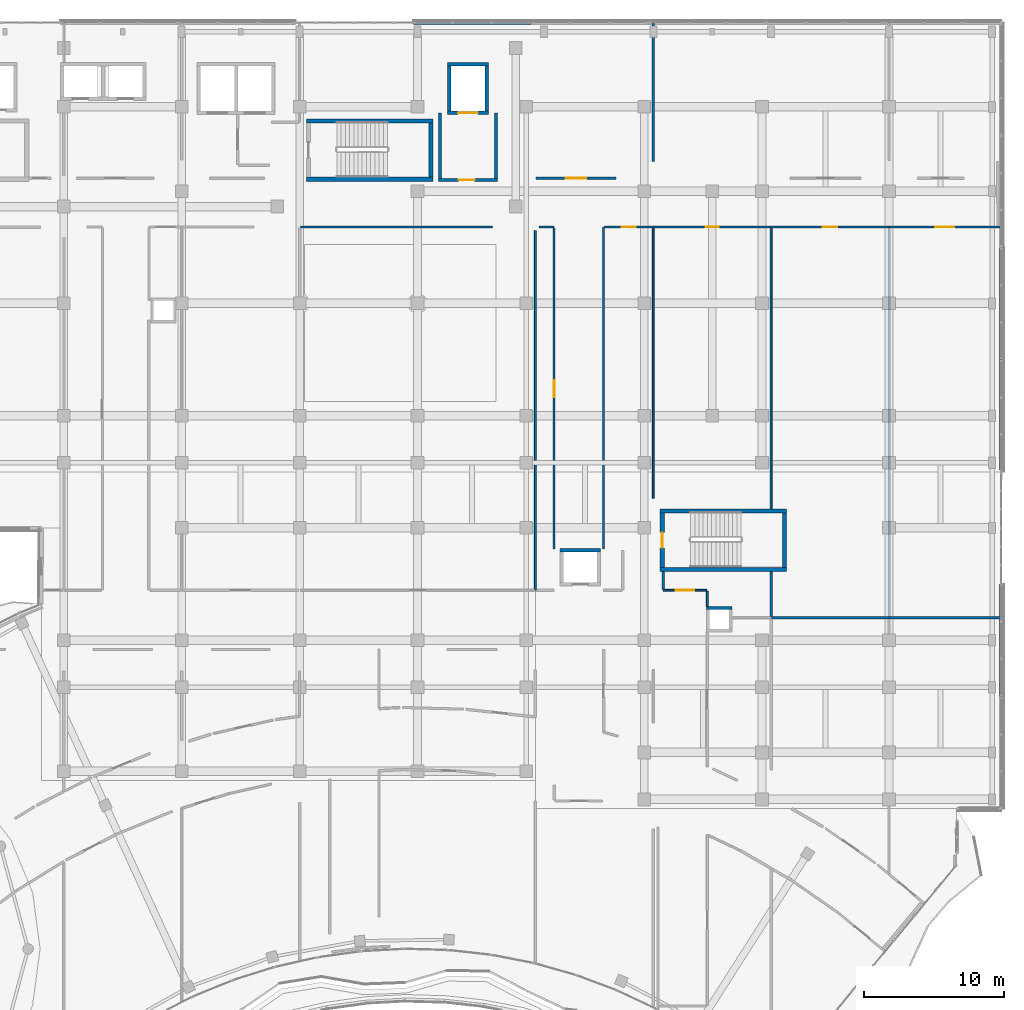
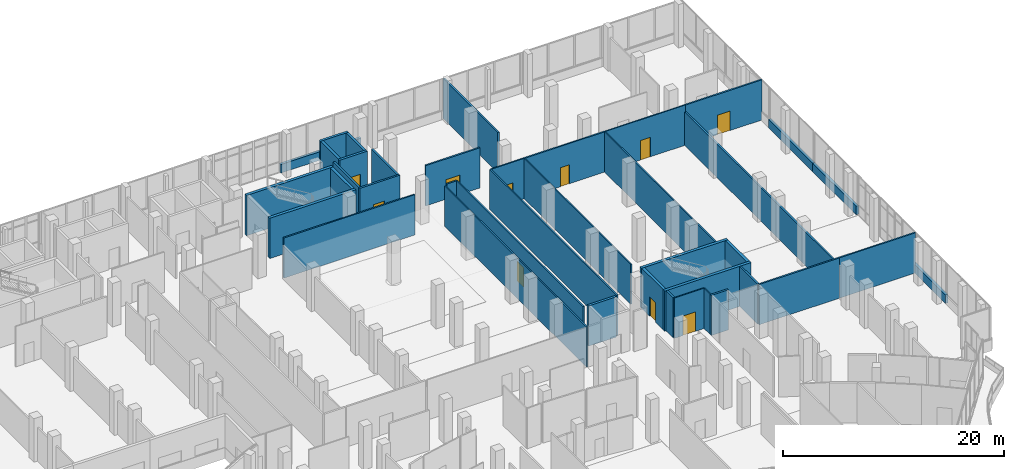
# One storey, part 151 of 168: 40 walls, 10 doors, 10 openings.
"""IFC4 building model written with IfcOpenShell, lengths in metres."""

import ifcopenshell
import ifcopenshell.guid

model = None  # the IFC model being written
_history = None  # IfcOwnerHistory: only IFC2X3 demands one
_inside = {}  # id of a spatial element -> (the spatial element, [elements in it])
_under = {}  # id of a project, library or spatial element -> (it, [spatial elements below it])
_declared = {}  # id of a project -> (the project, [libraries it declares])
_typed = {}  # id of a type object -> (the type object, [elements of that type])
_made_of = {}  # id of a material, layer set ... -> (it, [elements and type objects made of it])


def new_model(schema):
    """Start an empty IFC model of exactly this schema.

    Asked for "IFC4X3", IfcOpenShell would pick the latest addendum, in which some entities
    have other attributes; the version numbers below select the first issue.
    IFC2X3 requires an IfcOwnerHistory on every rooted entity: one is made here for all.
    """
    global model, _history
    if schema == "IFC4X3":
        model = ifcopenshell.file(schema_version=(4, 3, 0, 0))
    else:
        model = ifcopenshell.file(schema=schema)
    _inside.clear()
    _under.clear()
    _declared.clear()
    _typed.clear()
    _made_of.clear()
    _history = None
    if model.schema == "IFC2X3":
        org = make("IfcOrganization", Name="unknown")
        user = make(
            "IfcPersonAndOrganization",
            ThePerson=make("IfcPerson", FamilyName="unknown"),
            TheOrganization=org,
        )
        app = make(
            "IfcApplication",
            ApplicationDeveloper=org,
            Version="unknown",
            ApplicationFullName="unknown",
            ApplicationIdentifier="unknown",
        )
        _history = make(
            "IfcOwnerHistory",
            OwningUser=user,
            OwningApplication=app,
            ChangeAction="ADDED",
            CreationDate=0,
        )
    return model


def make(cls, **values):
    """One entity of the class cls with the attributes given. An attribute that is None is left unset."""
    return model.create_entity(
        cls, **{name: value for name, value in values.items() if value is not None}
    )


def rooted(cls, **values):
    """An entity with a GlobalId (a new one), such as an element, a storey or a relation."""
    return make(cls, GlobalId=ifcopenshell.guid.new(), OwnerHistory=_history, **values)


def si_unit(unit_type, name, prefix=None):
    """IfcSIUnit, for example si_unit("LENGTHUNIT", "METRE", prefix="MILLI")."""
    return make("IfcSIUnit", UnitType=unit_type, Prefix=prefix, Name=name)


def assignment(units):
    """IfcUnitAssignment: the units of a project."""
    return None if units is None else make("IfcUnitAssignment", Units=units)


def point(xyz):
    """IfcCartesianPoint."""
    return None if xyz is None else make("IfcCartesianPoint", Coordinates=xyz)


def direction(xyz):
    """IfcDirection."""
    return None if xyz is None else make("IfcDirection", DirectionRatios=xyz)


def frame(location, z_axis=None, x_axis=None):
    """IfcAxis2Placement3D, a coordinate frame: its origin and axes. An axis left out is left unset."""
    return make(
        "IfcAxis2Placement3D",
        Location=point(location),
        Axis=direction(z_axis),
        RefDirection=direction(x_axis),
    )


def frame_2d(location, x_axis=None):
    """IfcAxis2Placement2D, a coordinate frame in the plane: its origin and x axis."""
    return make(
        "IfcAxis2Placement2D", Location=point(location), RefDirection=direction(x_axis)
    )


def origin():
    """The frame at (0, 0, 0) with its axes left unset."""
    return frame((0.0, 0.0, 0.0))


def place(relative_to, where):
    """IfcLocalPlacement: puts the frame where relative to a parent placement (None: the world)."""
    return make(
        "IfcLocalPlacement", PlacementRelTo=relative_to, RelativePlacement=where
    )


def context(
    kind, dimensions, precision=None, world=None, true_north=None, identifier=None
):
    """IfcGeometricRepresentationContext, for example the 3D "Model" context."""
    return make(
        "IfcGeometricRepresentationContext",
        ContextIdentifier=identifier,
        ContextType=kind,
        CoordinateSpaceDimension=dimensions,
        Precision=precision,
        WorldCoordinateSystem=world,
        TrueNorth=true_north,
    )


def subcontext(parent, identifier, kind, view, scale=None):
    """IfcGeometricRepresentationSubContext, for example "Body" below "Model"."""
    return make(
        "IfcGeometricRepresentationSubContext",
        ContextIdentifier=identifier,
        ContextType=kind,
        ParentContext=parent,
        TargetScale=scale,
        TargetView=view,
    )


def project(units=None, contexts=None):
    """IfcProject with its units and contexts."""
    return rooted(
        "IfcProject",
        Name="project",
        RepresentationContexts=contexts,
        UnitsInContext=assignment(units),
    )


def spatial(cls, under=None, at=None, **own):
    """A site, building, storey or space (cls), placed at a placement, below another one or the project."""
    s = rooted(cls, ObjectPlacement=at, **own)
    if under is not None:
        _under.setdefault(under.id(), (under, []))[1].append(s)
    return s


def profile(cls, at=None, kind="AREA", **sizes):
    """A parametric profile (cls). Its sizes go by their IFC names, for example OverallWidth=200.0."""
    return make(cls, ProfileType=kind, Position=at, **sizes)


def rectangle(**sizes):
    """IfcRectangleProfileDef."""
    return profile("IfcRectangleProfileDef", **sizes)


def extrude(swept, where, along, depth):
    """IfcExtrudedAreaSolid: the profile swept, set in the frame where, extruded along a direction by depth."""
    return make(
        "IfcExtrudedAreaSolid",
        SweptArea=swept,
        Position=where,
        ExtrudedDirection=direction(along),
        Depth=depth,
    )


def shape(context_of_items, identifier, shape_type, items):
    """IfcShapeRepresentation: the items that make up one representation, for example the "Body"."""
    return make(
        "IfcShapeRepresentation",
        ContextOfItems=context_of_items,
        RepresentationIdentifier=identifier,
        RepresentationType=shape_type,
        Items=items,
    )


def material(Name=None, Category=None):
    """IfcMaterial."""
    return make("IfcMaterial", Name=Name, Category=Category)


def layer(
    of_material, thickness, ventilated=None, Name=None, Category=None, Priority=None
):
    """IfcMaterialLayer: one layer of a wall or slab, of a material (None: an air gap)."""
    return make(
        "IfcMaterialLayer",
        Material=of_material,
        LayerThickness=thickness,
        IsVentilated=ventilated,
        Name=Name,
        Category=Category,
        Priority=Priority,
    )


def layer_set(layers, Name=None):
    """IfcMaterialLayerSet."""
    return make("IfcMaterialLayerSet", MaterialLayers=layers, LayerSetName=Name)


def made_of(thing, what):
    """Note that an element or type object is made of a material, layer set ...; save() writes the relation."""
    if what is not None:
        _made_of.setdefault(what.id(), (what, []))[1].append(thing)
    return thing


def type_object(cls, material=None, **own):
    """A type object (cls), such as IfcWallType, which elements share."""
    return made_of(rooted(cls, **own), material)


def element(
    cls,
    number,
    at=None,
    inside=None,
    cuts=None,
    type_object=None,
    material=None,
    context=None,
    identifier="Body",
    shape_type=None,
    held_by="IfcProductDefinitionShape",
    body=None,
    shapes=None,
    **own,
):
    """One element of the class cls, such as IfcWall. Its Tag is "e" and its number.

    at: its placement. inside: the storey or other place that contains it. cuts: it is an
    opening in that element (IfcRelVoidsElement). A single representation is given by context,
    identifier, shape_type and body (its items); several are given by shapes. held_by: the class
    of the entity that holds the representations. save() writes the other relations.
    """
    e = rooted(cls, Tag="e%d" % number, ObjectPlacement=at, **own)
    if body is not None:
        shapes = [shape(context, identifier, shape_type, body)]
    if shapes is not None:
        e.Representation = make(held_by, Representations=shapes)
    if inside is not None:
        _inside.setdefault(inside.id(), (inside, []))[1].append(e)
    if cuts is not None:
        rooted(
            "IfcRelVoidsElement", RelatingBuildingElement=cuts, RelatedOpeningElement=e
        )
    if type_object is not None:
        _typed.setdefault(type_object.id(), (type_object, []))[1].append(e)
    return made_of(e, material)


def fill(opening, filler):
    """IfcRelFillsElement: the door or window that sits in an opening."""
    return rooted(
        "IfcRelFillsElement",
        RelatingOpeningElement=opening,
        RelatedBuildingElement=filler,
    )


def aggregate(whole, parts):
    """IfcRelAggregates: a whole, such as a stair, and the parts it consists of."""
    return rooted("IfcRelAggregates", RelatingObject=whole, RelatedObjects=parts)


def save(model, path):
    """Write the relations noted so far, then the file.

    IfcRelAggregates (storeys below a building ...), IfcRelContainedInSpatialStructure (elements
    in a storey), IfcRelDefinesByType, IfcRelAssociatesMaterial and IfcRelDeclares: one each for
    every whole, place, type object, material and project.
    """
    for whole, parts in _under.values():
        aggregate(whole, parts)
    for where, things in _inside.values():
        rooted(
            "IfcRelContainedInSpatialStructure",
            RelatedElements=things,
            RelatingStructure=where,
        )
    for kind, things in _typed.values():
        rooted("IfcRelDefinesByType", RelatedObjects=things, RelatingType=kind)
    for what, things in _made_of.values():
        rooted("IfcRelAssociatesMaterial", RelatedObjects=things, RelatingMaterial=what)
    for by, libraries in _declared.values():
        rooted("IfcRelDeclares", RelatingContext=by, RelatedDefinitions=libraries)
    model.write(path)


model = new_model("IFC4")

# Units and contexts
model_context = context("Model", 3, precision=1e-05, world=origin(), true_north=direction((0.0, 1.0)))
body_context = subcontext(model_context, "Body", "Model", "MODEL_VIEW")
ifc_project = project(units=[si_unit("LENGTHUNIT", "METRE"), si_unit("AREAUNIT", "SQUARE_METRE"), si_unit("VOLUMEUNIT", "CUBIC_METRE"), si_unit("PLANEANGLEUNIT", "RADIAN"), si_unit("MASSUNIT", "GRAM", prefix="KILO")], contexts=[model_context])

# Site, building, storey
site_placement = place(None, origin())
site = spatial("IfcSite", under=ifc_project, at=site_placement, CompositionType="ELEMENT")
building_placement = place(site_placement, origin())
building = spatial("IfcBuilding", under=site, at=building_placement, Name="Selatvlak General Hospital", CompositionType="ELEMENT")
storey_placement = place(building_placement, frame((0.0, 0.0, 5.39990234375)))
storey = spatial("IfcBuildingStorey", under=building, at=storey_placement, Name="L01", CompositionType="ELEMENT", Elevation=5.39990234375)

# Walls
ifc_material_1 = material(Name="Precast concrete C40/50 - white Bauhaus spandrel", Category="concrete")
ifc_layer_1 = layer(ifc_material_1, 0.280029296875, Name="Precast concrete C40/50 - white Bauhaus spandrel", Category="concrete")
ifc_layer_set_1 = layer_set([ifc_layer_1], Name="Precast concrete C40/50 - white Bauhaus spandrel")
wall_type_1 = type_object("IfcWallType", Name="WALL-EW-02", PredefinedType="SOLIDWALL", material=ifc_layer_set_1)
wall_1_placement = place(storey_placement, frame((140.10107421875, 120.0, 0.0), z_axis=(0.0, 0.0, 1.0), x_axis=(1.0, 0.0, 0.0)))
element("IfcWall", 1, at=wall_1_placement, inside=storey, type_object=wall_type_1, Name="L01 Bauhaus spandrel sill wall 0217", PredefinedType="SOLIDWALL", context=body_context, shape_type="SweptSolid", body=[
    extrude(rectangle(XDim=8.3759765625, YDim=0.280029296875, at=frame_2d((4.18798828125, 0.0))), origin(), (0.0, 0.0, 1.0), 0.940185546875),
])
wall_2_placement = place(storey_placement, frame((182.0, 103.9990234375, 0.0), z_axis=(0.0, 0.0, 1.0), x_axis=(0.0, -1.0, 0.0)))
element("IfcWall", 2, at=wall_2_placement, inside=storey, type_object=wall_type_1, Name="L01 Bauhaus spandrel sill wall 0224", PredefinedType="SOLIDWALL", context=body_context, shape_type="SweptSolid", body=[
    extrude(rectangle(XDim=7.99609375, YDim=0.280029296875, at=frame_2d((3.998046875, 0.0))), origin(), (0.0, 0.0, 1.0), 0.940185546875),
])
wall_3_placement = place(storey_placement, frame((182.0, 95.9990234375, 0.0), z_axis=(0.0, 0.0, 1.0), x_axis=(0.0, -1.0, 0.0)))
element("IfcWall", 3, at=wall_3_placement, inside=storey, type_object=wall_type_1, Name="L01 Bauhaus spandrel sill wall 0225", PredefinedType="SOLIDWALL", context=body_context, shape_type="SweptSolid", body=[
    extrude(rectangle(XDim=7.85791015625, YDim=0.280029296875, at=frame_2d((3.928955078125, 0.0))), origin(), (0.0, 0.0, 1.0), 0.940185546875),
])
wall_4_placement = place(storey_placement, frame((182.0, 79.9990234375, 0.0), z_axis=(0.0, 0.0, 1.0), x_axis=(0.0, -1.0, 0.0)))
element("IfcWall", 4, at=wall_4_placement, inside=storey, type_object=wall_type_1, Name="L01 Bauhaus spandrel sill wall 0226", PredefinedType="SOLIDWALL", context=body_context, shape_type="SweptSolid", body=[
    extrude(rectangle(XDim=7.99609375, YDim=0.280029296875, at=frame_2d((3.998046875, 0.0))), origin(), (0.0, 0.0, 1.0), 0.940185546875),
])

# Wall, opening, door
ifc_material_2 = material(Name="Concrete C40/50", Category="concrete")
ifc_layer_2 = layer(ifc_material_2, 0.199951171875, Name="Concrete C40/50", Category="concrete")
ifc_layer_set_2 = layer_set([ifc_layer_2], Name="Concrete C40/50")
wall_type_2 = type_object("IfcWallType", Name="WALL-IW-02", PredefinedType="SOLIDWALL", material=ifc_layer_set_2)
wall_5_placement = place(storey_placement, frame((141.89990234375, 108.800048828125, 0.0), z_axis=(0.0, 0.0, 1.0), x_axis=(1.0, 0.0, 0.0)))
wall_5 = element("IfcWall", 5, at=wall_5_placement, inside=storey, type_object=wall_type_2, Name="Firefighting lobby C4 wall L01 S", PredefinedType="SOLIDWALL", context=body_context, shape_type="SweptSolid", body=[
    extrude(rectangle(XDim=4.2001953125, YDim=0.199951171875, at=frame_2d((2.10009765625, 0.0))), origin(), (0.0, 0.0, 1.0), 4.445068359375),
])
opening_1_placement = place(wall_5_placement, frame((1.425048828125, 0.0, 0.0)))
opening_1 = element("IfcOpeningElement", 6, at=opening_1_placement, cuts=wall_5, Name="Opening D-06", PredefinedType="OPENING", context=body_context, shape_type="SweptSolid", body=[
    extrude(rectangle(XDim=1.14990234375, YDim=2.14990234375, at=frame_2d((0.574951171875, 1.074951171875))), frame((0.0, 0.10986328125, 0.0), z_axis=(0.0, -1.0, 0.0), x_axis=(1.0, 0.0, 0.0)), (0.0, 0.0, 1.0), 0.219970703125),
])
ifc_material_3 = material(Name="Firefighting lobby fire door")
door_type_1 = type_object("IfcDoorType", Name="DOOR-D-06", OperationType="NOTDEFINED", PredefinedType="DOOR", material=ifc_material_3)
door_1_placement = place(opening_1_placement, origin())
door_1 = element("IfcDoor", 7, at=door_1_placement, inside=storey, type_object=door_type_1, Name="Firefighting lobby C4 door on L01", OperationType="SINGLE_SWING_LEFT", OverallHeight=2.14990234375, OverallWidth=1.14990234375, PredefinedType="DOOR", context=body_context, shape_type="SweptSolid", body=[
    extrude(rectangle(XDim=1.14990234375, YDim=2.14990234375, at=frame_2d((0.574951171875, 1.074951171875))), frame((0.0, 0.02490234375, 0.0), z_axis=(0.0, -1.0, 0.0), x_axis=(1.0, 0.0, 0.0)), (0.0, 0.0, 1.0), 0.050048828125),
])
fill(opening_1, door_1)

# Walls
for number, where, z_axis, x_axis, name in (
    (8, (146.0, 108.89990234375, 0.0), (0.0, 0.0, 1.0), (0.0, 1.0, 0.0), "Firefighting lobby C4 wall L01 E"),
    (9, (142.0, 113.550048828125, 0.0), (0.0, 0.0, 1.0), (0.0, -1.0, 0.0), "Firefighting lobby C4 wall L01 W"),
):
    element("IfcWall", number, at=place(storey_placement, frame(where, z_axis=z_axis, x_axis=x_axis)), inside=storey, type_object=wall_type_2, Name=name, PredefinedType="SOLIDWALL", context=body_context, shape_type="SweptSolid", body=[
        extrude(rectangle(XDim=4.650146484375, YDim=0.199951171875, at=frame_2d((2.3251953125, 0.0))), origin(), (0.0, 0.0, 1.0), 4.445068359375),
    ])
wall_6_placement = place(storey_placement, frame((162.800048828125, 78.300048828125, 0.0), z_axis=(0.0, 0.0, 1.0), x_axis=(-1.0, 0.0, 0.0)))
element("IfcWall", 10, at=wall_6_placement, inside=storey, type_object=wall_type_2, Name="Service riser 4 shaft wall L01 N", PredefinedType="SOLIDWALL", context=body_context, shape_type="SweptSolid", body=[
    extrude(rectangle(XDim=1.800048828125, YDim=0.199951171875, at=frame_2d((0.89990234375, 0.0))), origin(), (0.0, 0.0, 1.0), 4.445068359375),
])
ifc_material_4 = material(Name="Acoustic gypsum stud partition")
ifc_layer_3 = layer(ifc_material_4, 0.179931640625, Name="Acoustic gypsum stud partition")
ifc_layer_set_3 = layer_set([ifc_layer_3], Name="Acoustic gypsum stud partition")
wall_type_3 = type_object("IfcWallType", Name="WALL-PT-01", PredefinedType="PARTITIONING", material=ifc_layer_set_3)
wall_7_placement = place(storey_placement, frame((157.909912109375, 79.615966796875, 0.0), z_axis=(0.0, 0.0, 1.0), x_axis=(0.0, 1.0, 0.0)))
element("IfcWall", 11, at=wall_7_placement, inside=storey, type_object=wall_type_3, Name="L01 clinical partition PT-L01-0985", PredefinedType="PARTITIONING", context=body_context, shape_type="SweptSolid", body=[
    extrude(rectangle(XDim=1.277099609375, YDim=0.179931640625, at=frame_2d((0.638671875, 0.0))), origin(), (0.0, 0.0, 1.0), 4.445068359375),
])
wall_8_placement = place(storey_placement, frame((174.0, 105.384033203125, 0.0), z_axis=(0.0, 0.0, 1.0), x_axis=(0.0, -1.0, 0.0)))
element("IfcWall", 12, at=wall_8_placement, inside=storey, type_object=wall_type_3, Name="L01 clinical partition PT-L01-0990", PredefinedType="PARTITIONING", context=body_context, shape_type="SweptSolid", body=[
    extrude(rectangle(XDim=27.7060546875, YDim=0.179931640625, at=frame_2d((13.85302734375, 0.0))), origin(), (0.0, 0.0, 1.0), 3.695068359375),
])
wall_9_placement = place(storey_placement, frame((157.199951171875, 119.9580078125, 0.0), z_axis=(0.0, 0.0, 1.0), x_axis=(0.0, -1.0, 0.0)))
element("IfcWall", 13, at=wall_9_placement, inside=storey, type_object=wall_type_3, Name="L01 clinical partition PT-L01-1025", PredefinedType="PARTITIONING", context=body_context, shape_type="SweptSolid", body=[
    extrude(rectangle(XDim=9.845947265625, YDim=0.179931640625, at=frame_2d((4.9228515625, 0.0))), origin(), (0.0, 0.0, 1.0), 4.445068359375),
])
ifc_layer_4 = layer(ifc_material_4, 0.1650390625, Name="Acoustic gypsum stud partition")
ifc_layer_set_4 = layer_set([ifc_layer_4], Name="Acoustic gypsum stud partition")
wall_type_4 = type_object("IfcWallType", Name="WALL-PT-02", PredefinedType="PARTITIONING", material=ifc_layer_set_4)
wall_10_placement = place(storey_placement, frame((165.60009765625, 77.60009765625, 0.0), z_axis=(0.0, 0.0, 1.0), x_axis=(1.0, 0.0, 0.0)))
element("IfcWall", 14, at=wall_10_placement, inside=storey, type_object=wall_type_4, Name="L01 clinical partition PT-L01-0906", PredefinedType="PARTITIONING", context=body_context, shape_type="SweptSolid", body=[
    extrude(rectangle(XDim=8.39990234375, YDim=0.1650390625, at=frame_2d((4.199951171875, 0.0))), origin(), (0.0, 0.0, 1.0), 4.445068359375),
])
wall_11_placement = place(storey_placement, frame((149.055908203125, 105.43994140625, 0.0), z_axis=(0.0, 0.0, 1.0), x_axis=(1.0, 0.0, 0.0)))
element("IfcWall", 15, at=wall_11_placement, inside=storey, type_object=wall_type_4, Name="L01 clinical partition PT-L01-0981", PredefinedType="PARTITIONING", context=body_context, shape_type="SweptSolid", body=[
    extrude(rectangle(XDim=1.083984375, YDim=0.1650390625, at=frame_2d((0.5419921875, 0.0))), origin(), (0.0, 0.0, 1.0), 4.445068359375),
])
wall_12_placement = place(storey_placement, frame((165.60009765625, 80.89306640625, 0.0), z_axis=(0.0, 0.0, 1.0), x_axis=(0.0, -1.0, 0.0)))
element("IfcWall", 16, at=wall_12_placement, inside=storey, type_object=wall_type_4, Name="L01 clinical partition PT-L01-0986", PredefinedType="PARTITIONING", context=body_context, shape_type="SweptSolid", body=[
    extrude(rectangle(XDim=3.215087890625, YDim=0.1650390625, at=frame_2d((1.607421875, 0.0))), origin(), (0.0, 0.0, 1.0), 4.445068359375),
])

# Wall, opening, door
wall_13_placement = place(storey_placement, frame((174.0, 105.43994140625, 0.0), z_axis=(0.0, 0.0, 1.0), x_axis=(1.0, 0.0, 0.0)))
wall_13 = element("IfcWall", 17, at=wall_13_placement, inside=storey, type_object=wall_type_4, Name="L01 clinical partition PT-L01-0991", PredefinedType="PARTITIONING", context=body_context, shape_type="SweptSolid", body=[
    extrude(rectangle(XDim=7.9580078125, YDim=0.1650390625, at=frame_2d((3.97900390625, 0.0))), origin(), (0.0, 0.0, 1.0), 4.445068359375),
])
opening_2_placement = place(wall_13_placement, frame((3.303955078125, 0.0, 0.0)))
opening_2 = element("IfcOpeningElement", 18, at=opening_2_placement, cuts=wall_13, Name="Opening D-10", PredefinedType="OPENING", context=body_context, shape_type="SweptSolid", body=[
    extrude(rectangle(XDim=1.35009765625, YDim=2.14990234375, at=frame_2d((0.675048828125, 1.074951171875))), frame((0.0, 0.092529296875, 0.0), z_axis=(0.0, -1.0, 0.0), x_axis=(1.0, 0.0, 0.0)), (0.0, 0.0, 1.0), 0.18505859375),
])
ifc_material_5 = material(Name="Single patient bed door")
door_type_2 = type_object("IfcDoorType", Name="DOOR-D-10", OperationType="NOTDEFINED", PredefinedType="DOOR", material=ifc_material_5)
door_2_placement = place(opening_2_placement, origin())
door_2 = element("IfcDoor", 19, at=door_2_placement, inside=storey, type_object=door_type_2, Name="L01 Outpatient Specialist Waiting Concourse 63 door", OperationType="SINGLE_SWING_LEFT", OverallHeight=2.14990234375, OverallWidth=1.35009765625, PredefinedType="DOOR", context=body_context, shape_type="SweptSolid", body=[
    extrude(rectangle(XDim=1.35009765625, YDim=2.14990234375, at=frame_2d((0.675048828125, 1.074951171875))), frame((0.0, 0.02490234375, 0.0), z_axis=(0.0, -1.0, 0.0), x_axis=(1.0, 0.0, 0.0)), (0.0, 0.0, 1.0), 0.050048828125),
])
fill(opening_2, door_2)

wall_14_placement = place(storey_placement, frame((154.5390625, 108.909912109375, 0.0), z_axis=(0.0, 0.0, 1.0), x_axis=(-1.0, 0.0, 0.0)))
wall_14 = element("IfcWall", 20, at=wall_14_placement, inside=storey, type_object=wall_type_4, Name="L01 clinical partition PT-L01-1026", PredefinedType="PARTITIONING", context=body_context, shape_type="SweptSolid", body=[
    extrude(rectangle(XDim=5.68310546875, YDim=0.1650390625, at=frame_2d((2.841552734375, 0.0))), origin(), (0.0, 0.0, 1.0), 4.445068359375),
])
opening_3_placement = place(wall_14_placement, frame((2.115966796875, 0.0, 0.0)))
opening_3 = element("IfcOpeningElement", 21, at=opening_3_placement, cuts=wall_14, Name="Opening D-12", PredefinedType="OPENING", context=body_context, shape_type="SweptSolid", body=[
    extrude(rectangle(XDim=1.449951171875, YDim=2.14990234375, at=frame_2d((0.72509765625, 1.074951171875))), frame((0.0, 0.092529296875, 0.0), z_axis=(0.0, -1.0, 0.0), x_axis=(1.0, 0.0, 0.0)), (0.0, 0.0, 1.0), 0.18505859375),
])
ifc_material_6 = material(Name="Isolation anteroom door")
door_type_3 = type_object("IfcDoorType", Name="DOOR-D-12", OperationType="NOTDEFINED", PredefinedType="DOOR", material=ifc_material_6)
door_3_placement = place(opening_3_placement, origin())
door_3 = element("IfcDoor", 22, at=door_3_placement, inside=storey, type_object=door_type_3, Name="L01 Family Consultation Room 77 door", OperationType="SINGLE_SWING_LEFT", OverallHeight=2.14990234375, OverallWidth=1.449951171875, PredefinedType="DOOR", context=body_context, shape_type="SweptSolid", body=[
    extrude(rectangle(XDim=1.449951171875, YDim=2.14990234375, at=frame_2d((0.72509765625, 1.074951171875))), frame((0.0, 0.02490234375, 0.0), z_axis=(0.0, -1.0, 0.0), x_axis=(1.0, 0.0, 0.0)), (0.0, 0.0, 1.0), 0.050048828125),
])
fill(opening_3, door_3)

# Walls
ifc_layer_5 = layer(ifc_material_4, 0.14990234375, Name="Acoustic gypsum stud partition")
ifc_layer_set_5 = layer_set([ifc_layer_5], Name="Acoustic gypsum stud partition")
wall_type_5 = type_object("IfcWallType", Name="WALL-PT-03", PredefinedType="PARTITIONING", material=ifc_layer_set_5)
wall_15_placement = place(storey_placement, frame((174.0, 77.60009765625, 0.0), z_axis=(0.0, 0.0, 1.0), x_axis=(1.0, 0.0, 0.0)))
element("IfcWall", 23, at=wall_15_placement, inside=storey, type_object=wall_type_5, Name="L01 clinical partition PT-L01-0912", PredefinedType="PARTITIONING", context=body_context, shape_type="SweptSolid", body=[
    extrude(rectangle(XDim=7.9580078125, YDim=0.14990234375, at=frame_2d((3.97900390625, 0.0))), origin(), (0.0, 0.0, 1.0), 4.445068359375),
])
wall_16_placement = place(storey_placement, frame((132.055908203125, 105.43994140625, 0.0), z_axis=(0.0, 0.0, 1.0), x_axis=(1.0, 0.0, 0.0)))
element("IfcWall", 24, at=wall_16_placement, inside=storey, type_object=wall_type_5, Name="L01 clinical partition PT-L01-0972", PredefinedType="PARTITIONING", context=body_context, shape_type="SweptSolid", body=[
    extrude(rectangle(XDim=13.68798828125, YDim=0.14990234375, at=frame_2d((6.843994140625, 0.0))), origin(), (0.0, 0.0, 1.0), 4.445068359375),
])
wall_17_placement = place(storey_placement, frame((153.659912109375, 82.47998046875, 0.0), z_axis=(0.0, 0.0, 1.0), x_axis=(0.0, 1.0, 0.0)))
element("IfcWall", 25, at=wall_17_placement, inside=storey, type_object=wall_type_5, Name="L01 clinical partition PT-L01-0977", PredefinedType="PARTITIONING", context=body_context, shape_type="SweptSolid", body=[
    extrude(rectangle(XDim=22.9599609375, YDim=0.14990234375, at=frame_2d((11.47998046875, 0.0))), origin(), (0.0, 0.0, 1.0), 4.445068359375),
])

# Wall, opening, door
wall_18_placement = place(storey_placement, frame((150.139892578125, 105.361083984375, 0.0), z_axis=(0.0, 0.0, 1.0), x_axis=(0.0, -1.0, 0.0)))
wall_18 = element("IfcWall", 26, at=wall_18_placement, inside=storey, type_object=wall_type_5, Name="L01 clinical partition PT-L01-0982", PredefinedType="PARTITIONING", context=body_context, shape_type="SweptSolid", body=[
    extrude(rectangle(XDim=22.881103515625, YDim=0.14990234375, at=frame_2d((11.4404296875, 0.0))), origin(), (0.0, 0.0, 1.0), 4.445068359375),
])
opening_4_placement = place(wall_18_placement, frame((10.841064453125, 0.0, 0.0)))
opening_4 = element("IfcOpeningElement", 27, at=opening_4_placement, cuts=wall_18, Name="Opening D-23", PredefinedType="OPENING", context=body_context, shape_type="SweptSolid", body=[
    extrude(rectangle(XDim=1.199951171875, YDim=2.14990234375, at=frame_2d((0.60009765625, 1.074951171875))), frame((0.0, 0.0849609375, 0.0), z_axis=(0.0, -1.0, 0.0), x_axis=(1.0, 0.0, 0.0)), (0.0, 0.0, 1.0), 0.169921875),
])
ifc_material_7 = material(Name="Endoscopy clinical door")
door_type_4 = type_object("IfcDoorType", Name="DOOR-D-23", OperationType="NOTDEFINED", PredefinedType="DOOR", material=ifc_material_7)
door_4_placement = place(opening_4_placement, origin())
door_4 = element("IfcDoor", 28, at=door_4_placement, inside=storey, type_object=door_type_4, Name="L01 High Dependency Critical Care Bay 59 door", OperationType="SINGLE_SWING_LEFT", OverallHeight=2.14990234375, OverallWidth=1.199951171875, PredefinedType="DOOR", context=body_context, shape_type="SweptSolid", body=[
    extrude(rectangle(XDim=1.199951171875, YDim=2.14990234375, at=frame_2d((0.60009765625, 1.074951171875))), frame((0.0, 0.02490234375, 0.0), z_axis=(0.0, -1.0, 0.0), x_axis=(1.0, 0.0, 0.0)), (0.0, 0.0, 1.0), 0.050048828125),
])
fill(opening_4, door_4)

wall_19_placement = place(storey_placement, frame((157.199951171875, 105.43994140625, 0.0), z_axis=(0.0, 0.0, 1.0), x_axis=(1.0, 0.0, 0.0)))
wall_19 = element("IfcWall", 29, at=wall_19_placement, inside=storey, type_object=wall_type_5, Name="L01 clinical partition PT-L01-0987", PredefinedType="PARTITIONING", context=body_context, shape_type="SweptSolid", body=[
    extrude(rectangle(XDim=8.400146484375, YDim=0.14990234375, at=frame_2d((4.2001953125, 0.0))), origin(), (0.0, 0.0, 1.0), 4.445068359375),
])
opening_5_placement = place(wall_19_placement, frame((3.75, 0.0, 0.0)))
opening_5 = element("IfcOpeningElement", 30, at=opening_5_placement, cuts=wall_19, Name="Opening D-01", PredefinedType="OPENING", context=body_context, shape_type="SweptSolid", body=[
    extrude(rectangle(XDim=0.89990234375, YDim=2.10009765625, at=frame_2d((0.449951171875, 1.050048828125))), frame((0.0, 0.0849609375, 0.0), z_axis=(0.0, -1.0, 0.0), x_axis=(1.0, 0.0, 0.0)), (0.0, 0.0, 1.0), 0.169921875),
])
ifc_material_8 = material(Name="Hardwood clinical room door", Category="wood")
door_type_5 = type_object("IfcDoorType", Name="DOOR-D-01", OperationType="NOTDEFINED", PredefinedType="DOOR", material=ifc_material_8)
door_5_placement = place(opening_5_placement, origin())
door_5 = element("IfcDoor", 31, at=door_5_placement, inside=storey, type_object=door_type_5, Name="L01 Outpatient Specialist Waiting Concourse 61 door", OperationType="SINGLE_SWING_LEFT", OverallHeight=2.10009765625, OverallWidth=0.89990234375, PredefinedType="DOOR", context=body_context, shape_type="SweptSolid", body=[
    extrude(rectangle(XDim=0.89990234375, YDim=2.10009765625, at=frame_2d((0.449951171875, 1.050048828125))), frame((0.0, 0.02490234375, 0.0), z_axis=(0.0, -1.0, 0.0), x_axis=(1.0, 0.0, 0.0)), (0.0, 0.0, 1.0), 0.050048828125),
])
fill(opening_5, door_5)

# Wall
ifc_material_9 = material(Name="Moisture-resistant clinical partition")
ifc_layer_6 = layer(ifc_material_9, 0.135009765625, Name="Moisture-resistant clinical partition")
ifc_layer_set_6 = layer_set([ifc_layer_6], Name="Moisture-resistant clinical partition")
wall_type_6 = type_object("IfcWallType", Name="WALL-PT-04", PredefinedType="PARTITIONING", material=ifc_layer_set_6)
wall_20_placement = place(storey_placement, frame((148.800048828125, 105.18994140625, 0.0), z_axis=(0.0, 0.0, 1.0), x_axis=(0.0, -1.0, 0.0)))
element("IfcWall", 32, at=wall_20_placement, inside=storey, type_object=wall_type_6, Name="L01 clinical partition PT-L01-0973", PredefinedType="PARTITIONING", context=body_context, shape_type="SweptSolid", body=[
    extrude(rectangle(XDim=25.6298828125, YDim=0.135009765625, at=frame_2d((12.81494140625, 0.0))), origin(), (0.0, 0.0, 1.0), 4.445068359375),
])

# Wall, opening, door
wall_21_placement = place(storey_placement, frame((153.73095703125, 105.43994140625, 0.0), z_axis=(0.0, 0.0, 1.0), x_axis=(1.0, 0.0, 0.0)))
wall_21 = element("IfcWall", 33, at=wall_21_placement, inside=storey, type_object=wall_type_6, Name="L01 clinical partition PT-L01-0978", PredefinedType="PARTITIONING", context=body_context, shape_type="SweptSolid", body=[
    extrude(rectangle(XDim=3.468994140625, YDim=0.135009765625, at=frame_2d((1.734375, 0.0))), origin(), (0.0, 0.0, 1.0), 4.445068359375),
])
opening_6_placement = place(wall_21_placement, frame((1.23388671875, 0.0, 0.0)))
opening_6 = element("IfcOpeningElement", 34, at=opening_6_placement, cuts=wall_21, Name="Opening D-21", PredefinedType="OPENING", context=body_context, shape_type="SweptSolid", body=[
    extrude(rectangle(XDim=1.0, YDim=2.14990234375, at=frame_2d((0.5, 1.074951171875))), frame((0.0, 0.077392578125, 0.0), z_axis=(0.0, -1.0, 0.0), x_axis=(1.0, 0.0, 0.0)), (0.0, 0.0, 1.0), 0.155029296875),
])
ifc_material_10 = material(Name="Laboratory fire door")
door_type_6 = type_object("IfcDoorType", Name="DOOR-D-21", OperationType="NOTDEFINED", PredefinedType="DOOR", material=ifc_material_10)
door_6_placement = place(opening_6_placement, origin())
door_6 = element("IfcDoor", 35, at=door_6_placement, inside=storey, type_object=door_type_6, Name="L01 Paediatric Intensive Care Unit 58 door", OperationType="SINGLE_SWING_RIGHT", OverallHeight=2.14990234375, OverallWidth=1.0, PredefinedType="DOOR", context=body_context, shape_type="SweptSolid", body=[
    extrude(rectangle(XDim=1.0, YDim=2.14990234375, at=frame_2d((0.5, 1.074951171875))), frame((0.0, 0.02490234375, 0.0), z_axis=(0.0, -1.0, 0.0), x_axis=(1.0, 0.0, 0.0)), (0.0, 0.0, 1.0), 0.050048828125),
])
fill(opening_6, door_6)

# Walls
wall_22_placement = place(storey_placement, frame((161.06005859375, 78.39697265625, 0.0), z_axis=(0.0, 0.0, 1.0), x_axis=(0.0, 1.0, 0.0)))
element("IfcWall", 36, at=wall_22_placement, inside=storey, type_object=wall_type_6, Name="L01 clinical partition PT-L01-0983", PredefinedType="PARTITIONING", context=body_context, shape_type="SweptSolid", body=[
    extrude(rectangle(XDim=1.10302734375, YDim=0.135009765625, at=frame_2d((0.551513671875, 0.0))), origin(), (0.0, 0.0, 1.0), 4.445068359375),
])
wall_23_placement = place(storey_placement, frame((165.60009765625, 105.368896484375, 0.0), z_axis=(0.0, 0.0, 1.0), x_axis=(0.0, -1.0, 0.0)))
element("IfcWall", 37, at=wall_23_placement, inside=storey, type_object=wall_type_6, Name="L01 clinical partition PT-L01-0988", PredefinedType="PARTITIONING", context=body_context, shape_type="SweptSolid", body=[
    extrude(rectangle(XDim=20.02197265625, YDim=0.135009765625, at=frame_2d((10.010986328125, 0.0))), origin(), (0.0, 0.0, 1.0), 4.445068359375),
])
ifc_layer_7 = layer(ifc_material_9, 0.1201171875, Name="Moisture-resistant clinical partition")
ifc_layer_set_7 = layer_set([ifc_layer_7], Name="Moisture-resistant clinical partition")
wall_type_7 = type_object("IfcWallType", Name="WALL-PT-05", PredefinedType="PARTITIONING", material=ifc_layer_set_7)
wall_24_placement = place(storey_placement, frame((157.199951171875, 105.3759765625, 0.0), z_axis=(0.0, 0.0, 1.0), x_axis=(0.0, -1.0, 0.0)))
element("IfcWall", 38, at=wall_24_placement, inside=storey, type_object=wall_type_7, Name="L01 clinical partition PT-L01-0979", PredefinedType="PARTITIONING", context=body_context, shape_type="SweptSolid", body=[
    extrude(rectangle(XDim=19.263916015625, YDim=0.1201171875, at=frame_2d((9.6318359375, 0.0))), origin(), (0.0, 0.0, 1.0), 4.445068359375),
])

# Wall, opening, door
wall_25_placement = place(storey_placement, frame((161.0, 79.56005859375, 0.0), z_axis=(0.0, 0.0, 1.0), x_axis=(-1.0, 0.0, 0.0)))
wall_25 = element("IfcWall", 39, at=wall_25_placement, inside=storey, type_object=wall_type_7, Name="L01 clinical partition PT-L01-0984", PredefinedType="PARTITIONING", context=body_context, shape_type="SweptSolid", body=[
    extrude(rectangle(XDim=3.090087890625, YDim=0.1201171875, at=frame_2d((1.544921875, 0.0))), origin(), (0.0, 0.0, 1.0), 4.445068359375),
])
opening_7_placement = place(wall_25_placement, frame((0.89501953125, 0.0, 0.0)))
opening_7 = element("IfcOpeningElement", 40, at=opening_7_placement, cuts=wall_25, Name="Opening D-24", PredefinedType="OPENING", context=body_context, shape_type="SweptSolid", body=[
    extrude(rectangle(XDim=1.300048828125, YDim=2.14990234375, at=frame_2d((0.64990234375, 1.074951171875))), frame((0.0, 0.070068359375, 0.0), z_axis=(0.0, -1.0, 0.0), x_axis=(1.0, 0.0, 0.0)), (0.0, 0.0, 1.0), 0.14013671875),
])
ifc_material_11 = material(Name="Oncology bay door")
door_type_7 = type_object("IfcDoorType", Name="DOOR-D-24", OperationType="NOTDEFINED", PredefinedType="DOOR", material=ifc_material_11)
door_7_placement = place(opening_7_placement, origin())
door_7 = element("IfcDoor", 41, at=door_7_placement, inside=storey, type_object=door_type_7, Name="L01 Paediatric Intensive Care Unit 60 door", OperationType="SINGLE_SWING_RIGHT", OverallHeight=2.14990234375, OverallWidth=1.300048828125, PredefinedType="DOOR", context=body_context, shape_type="SweptSolid", body=[
    extrude(rectangle(XDim=1.300048828125, YDim=2.14990234375, at=frame_2d((0.64990234375, 1.074951171875))), frame((0.0, 0.02490234375, 0.0), z_axis=(0.0, -1.0, 0.0), x_axis=(1.0, 0.0, 0.0)), (0.0, 0.0, 1.0), 0.050048828125),
])
fill(opening_7, door_7)

wall_26_placement = place(storey_placement, frame((165.60009765625, 105.43994140625, 0.0), z_axis=(0.0, 0.0, 1.0), x_axis=(1.0, 0.0, 0.0)))
wall_26 = element("IfcWall", 42, at=wall_26_placement, inside=storey, type_object=wall_type_7, Name="L01 clinical partition PT-L01-0989", PredefinedType="PARTITIONING", context=body_context, shape_type="SweptSolid", body=[
    extrude(rectangle(XDim=8.39990234375, YDim=0.1201171875, at=frame_2d((4.199951171875, 0.0))), origin(), (0.0, 0.0, 1.0), 4.445068359375),
])
opening_8_placement = place(wall_26_placement, frame((3.675048828125, 0.0, 0.0)))
opening_8 = element("IfcOpeningElement", 43, at=opening_8_placement, cuts=wall_26, Name="Opening D-04", PredefinedType="OPENING", context=body_context, shape_type="SweptSolid", body=[
    extrude(rectangle(XDim=1.050048828125, YDim=2.14990234375, at=frame_2d((0.52490234375, 1.074951171875))), frame((0.0, 0.070068359375, 0.0), z_axis=(0.0, -1.0, 0.0), x_axis=(1.0, 0.0, 0.0)), (0.0, 0.0, 1.0), 0.14013671875),
])
ifc_material_12 = material(Name="Consultation room door")
door_type_8 = type_object("IfcDoorType", Name="DOOR-D-04", OperationType="NOTDEFINED", PredefinedType="DOOR", material=ifc_material_12)
door_8_placement = place(opening_8_placement, origin())
door_8 = element("IfcDoor", 44, at=door_8_placement, inside=storey, type_object=door_type_8, Name="L01 Critical Care Pharmacy Satellite 62 door", OperationType="SINGLE_SWING_RIGHT", OverallHeight=2.14990234375, OverallWidth=1.050048828125, PredefinedType="DOOR", context=body_context, shape_type="SweptSolid", body=[
    extrude(rectangle(XDim=1.050048828125, YDim=2.14990234375, at=frame_2d((0.52490234375, 1.074951171875))), frame((0.0, 0.02490234375, 0.0), z_axis=(0.0, -1.0, 0.0), x_axis=(1.0, 0.0, 0.0)), (0.0, 0.0, 1.0), 0.050048828125),
])
fill(opening_8, door_8)

# Walls
ifc_material_13 = material(Name="Concrete C45/55", Category="concrete")
ifc_layer_8 = layer(ifc_material_13, 0.300048828125, Name="Concrete C45/55", Category="concrete")
ifc_layer_set_8 = layer_set([ifc_layer_8], Name="Concrete C45/55")
wall_type_8 = type_object("IfcWallType", Name="WALL-SW-02", PredefinedType="SHEAR", material=ifc_layer_set_8)
wall_27_placement = place(storey_placement, frame((132.489990234375, 108.840087890625, 0.0), z_axis=(0.0, 0.0, 1.0), x_axis=(1.0, 0.0, 0.0)))
element("IfcWall", 45, at=wall_27_placement, inside=storey, type_object=wall_type_8, Name="ST-04 core shear wall L01 S", PredefinedType="SHEAR", context=body_context, shape_type="SweptSolid", body=[
    extrude(rectangle(XDim=9.02001953125, YDim=0.300048828125, at=frame_2d((4.510009765625, 0.0))), origin(), (0.0, 0.0, 1.0), 4.445068359375),
])
wall_28_placement = place(storey_placement, frame((141.360107421875, 108.989990234375, 0.0), z_axis=(0.0, 0.0, 1.0), x_axis=(0.0, 1.0, 0.0)))
element("IfcWall", 46, at=wall_28_placement, inside=storey, type_object=wall_type_8, Name="ST-04 core shear wall L01 E", PredefinedType="SHEAR", context=body_context, shape_type="SweptSolid", body=[
    extrude(rectangle(XDim=3.860107421875, YDim=0.300048828125, at=frame_2d((1.93017578125, 0.0))), origin(), (0.0, 0.0, 1.0), 4.445068359375),
])
for number, where, z_axis, x_axis, name in (
    (47, (141.510009765625, 113.0, 0.0), (0.0, 0.0, 1.0), (-1.0, 0.0, 0.0), "ST-04 core shear wall L01 N"),
    (48, (157.68994140625, 81.0400390625, 0.0), (0.0, 0.0, 1.0), (1.0, 0.0, 0.0), "ST-06 core shear wall L01 S"),
):
    element("IfcWall", number, at=place(storey_placement, frame(where, z_axis=z_axis, x_axis=x_axis)), inside=storey, type_object=wall_type_8, Name=name, PredefinedType="SHEAR", context=body_context, shape_type="SweptSolid", body=[
        extrude(rectangle(XDim=9.02001953125, YDim=0.300048828125, at=frame_2d((4.510009765625, 0.0))), origin(), (0.0, 0.0, 1.0), 4.445068359375),
    ])
wall_29_placement = place(storey_placement, frame((166.56005859375, 81.18994140625, 0.0), z_axis=(0.0, 0.0, 1.0), x_axis=(0.0, 1.0, 0.0)))
element("IfcWall", 49, at=wall_29_placement, inside=storey, type_object=wall_type_8, Name="ST-06 core shear wall L01 E", PredefinedType="SHEAR", context=body_context, shape_type="SweptSolid", body=[
    extrude(rectangle(XDim=3.860107421875, YDim=0.300048828125, at=frame_2d((1.93017578125, 0.0))), origin(), (0.0, 0.0, 1.0), 4.445068359375),
])
wall_30_placement = place(storey_placement, frame((166.7099609375, 85.199951171875, 0.0), z_axis=(0.0, 0.0, 1.0), x_axis=(-1.0, 0.0, 0.0)))
element("IfcWall", 50, at=wall_30_placement, inside=storey, type_object=wall_type_8, Name="ST-06 core shear wall L01 N", PredefinedType="SHEAR", context=body_context, shape_type="SweptSolid", body=[
    extrude(rectangle(XDim=9.02001953125, YDim=0.300048828125, at=frame_2d((4.510009765625, 0.0))), origin(), (0.0, 0.0, 1.0), 4.445068359375),
])

# Wall, opening, door
wall_31_placement = place(storey_placement, frame((157.840087890625, 85.050048828125, 0.0), z_axis=(0.0, 0.0, 1.0), x_axis=(0.0, -1.0, 0.0)))
wall_31 = element("IfcWall", 51, at=wall_31_placement, inside=storey, type_object=wall_type_8, Name="ST-06 core shear wall L01 W", PredefinedType="SHEAR", context=body_context, shape_type="SweptSolid", body=[
    extrude(rectangle(XDim=3.860107421875, YDim=0.300048828125, at=frame_2d((1.93017578125, 0.0))), origin(), (0.0, 0.0, 1.0), 4.445068359375),
])
opening_9_placement = place(wall_31_placement, frame((1.3798828125, 0.0, 0.0)))
opening_9 = element("IfcOpeningElement", 52, at=opening_9_placement, cuts=wall_31, Name="Opening D-05", PredefinedType="OPENING", context=body_context, shape_type="SweptSolid", body=[
    extrude(rectangle(XDim=1.10009765625, YDim=2.14990234375, at=frame_2d((0.550048828125, 1.074951171875))), frame((0.0, 0.159912109375, 0.0), z_axis=(0.0, -1.0, 0.0), x_axis=(1.0, 0.0, 0.0)), (0.0, 0.0, 1.0), 0.320068359375),
])
ifc_material_14 = material(Name="Protected stair fire door")
door_type_9 = type_object("IfcDoorType", Name="DOOR-D-05", OperationType="NOTDEFINED", PredefinedType="DOOR", material=ifc_material_14)
door_9_placement = place(opening_9_placement, origin())
door_9 = element("IfcDoor", 53, at=door_9_placement, inside=storey, type_object=door_type_9, Name="ST-06 protected stair door on L01", OperationType="SINGLE_SWING_LEFT", OverallHeight=2.14990234375, OverallWidth=1.10009765625, PredefinedType="DOOR", context=body_context, shape_type="SweptSolid", body=[
    extrude(rectangle(XDim=1.10009765625, YDim=2.14990234375, at=frame_2d((0.550048828125, 1.074951171875))), frame((0.0, 0.02490234375, 0.0), z_axis=(0.0, -1.0, 0.0), x_axis=(1.0, 0.0, 0.0)), (0.0, 0.0, 1.0), 0.050048828125),
])
fill(opening_9, door_9)

# Wall
ifc_layer_9 = layer(ifc_material_2, 0.25, Name="Concrete C40/50", Category="concrete")
ifc_layer_set_9 = layer_set([ifc_layer_9], Name="Concrete C40/50")
wall_type_9 = type_object("IfcWallType", Name="WALL-SW-03", PredefinedType="SHEAR", material=ifc_layer_set_9)
wall_32_placement = place(storey_placement, frame((153.449951171875, 82.425048828125, 0.0), z_axis=(0.0, 0.0, 1.0), x_axis=(-1.0, 0.0, 0.0)))
element("IfcWall", 54, at=wall_32_placement, inside=storey, type_object=wall_type_9, Name="Lift LP-04 shaft wall L01 N", PredefinedType="SHEAR", context=body_context, shape_type="SweptSolid", body=[
    extrude(rectangle(XDim=2.89990234375, YDim=0.25, at=frame_2d((1.449951171875, 0.0))), origin(), (0.0, 0.0, 1.0), 4.445068359375),
])

# Wall, opening, door
wall_33_placement = place(storey_placement, frame((142.550048828125, 113.574951171875, 0.0), z_axis=(0.0, 0.0, 1.0), x_axis=(1.0, 0.0, 0.0)))
wall_33 = element("IfcWall", 55, at=wall_33_placement, inside=storey, type_object=wall_type_9, Name="Lift LF-03 shaft wall L01 S", PredefinedType="SHEAR", context=body_context, shape_type="SweptSolid", body=[
    extrude(rectangle(XDim=2.89990234375, YDim=0.25, at=frame_2d((1.449951171875, 0.0))), origin(), (0.0, 0.0, 1.0), 4.445068359375),
])
opening_10_placement = place(wall_33_placement, frame((0.75, 0.0, 0.0)))
opening_10 = element("IfcOpeningElement", 56, at=opening_10_placement, cuts=wall_33, Name="Opening LD-F1", PredefinedType="OPENING", context=body_context, shape_type="SweptSolid", body=[
    extrude(rectangle(XDim=1.39990234375, YDim=2.14990234375, at=frame_2d((0.699951171875, 1.074951171875))), frame((0.0, 0.135009765625, 0.0), z_axis=(0.0, -1.0, 0.0), x_axis=(1.0, 0.0, 0.0)), (0.0, 0.0, 1.0), 0.27001953125),
])
ifc_material_15 = material(Name="Stainless steel fire lift landing door", Category="steel")
door_type_10 = type_object("IfcDoorType", Name="DOOR-LD-F1", OperationType="DOUBLE_DOOR_SLIDING", PredefinedType="DOOR", material=ifc_material_15)
door_10_placement = place(opening_10_placement, origin())
door_10 = element("IfcDoor", 57, at=door_10_placement, inside=storey, type_object=door_type_10, Name="Lift LF-03 sliding landing door on L01", OperationType="DOUBLE_DOOR_SLIDING", OverallHeight=2.14990234375, OverallWidth=1.39990234375, PredefinedType="DOOR", context=body_context, shape_type="SweptSolid", body=[
    extrude(rectangle(XDim=1.39990234375, YDim=2.14990234375, at=frame_2d((0.699951171875, 1.074951171875))), frame((0.0, 0.02490234375, 0.0), z_axis=(0.0, -1.0, 0.0), x_axis=(1.0, 0.0, 0.0)), (0.0, 0.0, 1.0), 0.050048828125),
])
fill(opening_10, door_10)

# Walls
wall_34_placement = place(storey_placement, frame((145.324951171875, 113.699951171875, 0.0), z_axis=(0.0, 0.0, 1.0), x_axis=(0.0, 1.0, 0.0)))
element("IfcWall", 58, at=wall_34_placement, inside=storey, type_object=wall_type_9, Name="Lift LF-03 shaft wall L01 E", PredefinedType="SHEAR", context=body_context, shape_type="SweptSolid", body=[
    extrude(rectangle(XDim=3.199951171875, YDim=0.25, at=frame_2d((1.60009765625, 0.0))), origin(), (0.0, 0.0, 1.0), 4.445068359375),
])
wall_35_placement = place(storey_placement, frame((145.449951171875, 117.02490234375, 0.0), z_axis=(0.0, 0.0, 1.0), x_axis=(-1.0, 0.0, 0.0)))
element("IfcWall", 59, at=wall_35_placement, inside=storey, type_object=wall_type_9, Name="Lift LF-03 shaft wall L01 N", PredefinedType="SHEAR", context=body_context, shape_type="SweptSolid", body=[
    extrude(rectangle(XDim=2.89990234375, YDim=0.25, at=frame_2d((1.449951171875, 0.0))), origin(), (0.0, 0.0, 1.0), 4.445068359375),
])
wall_36_placement = place(storey_placement, frame((142.675048828125, 116.89990234375, 0.0), z_axis=(0.0, 0.0, 1.0), x_axis=(0.0, -1.0, 0.0)))
element("IfcWall", 60, at=wall_36_placement, inside=storey, type_object=wall_type_9, Name="Lift LF-03 shaft wall L01 W", PredefinedType="SHEAR", context=body_context, shape_type="SweptSolid", body=[
    extrude(rectangle(XDim=3.199951171875, YDim=0.25, at=frame_2d((1.60009765625, 0.0))), origin(), (0.0, 0.0, 1.0), 4.445068359375),
])

save(model, "model.ifc")
